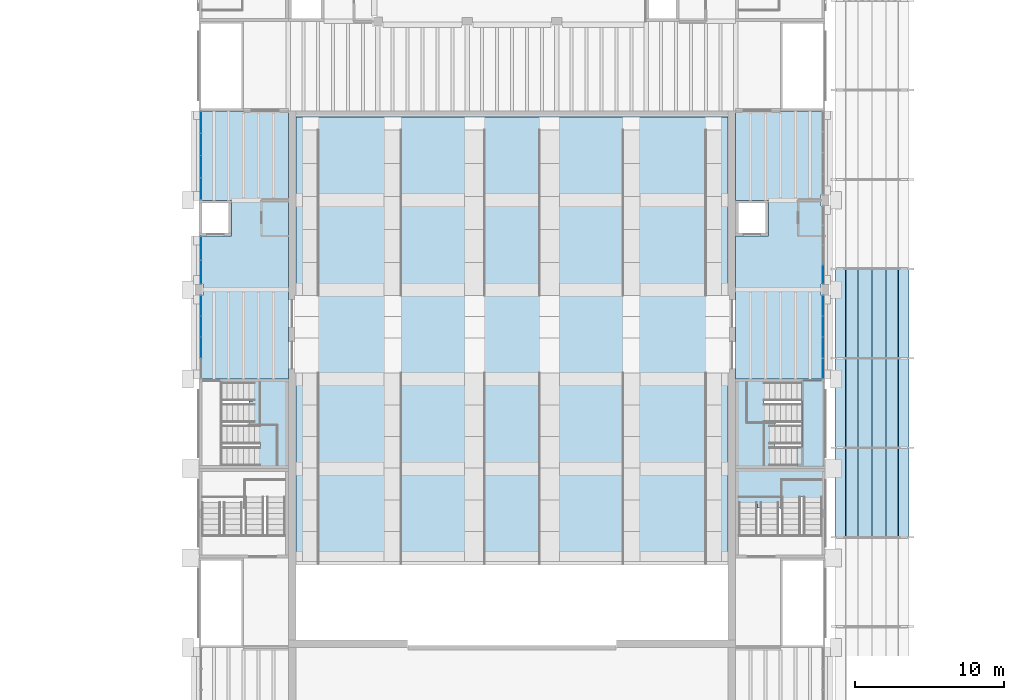
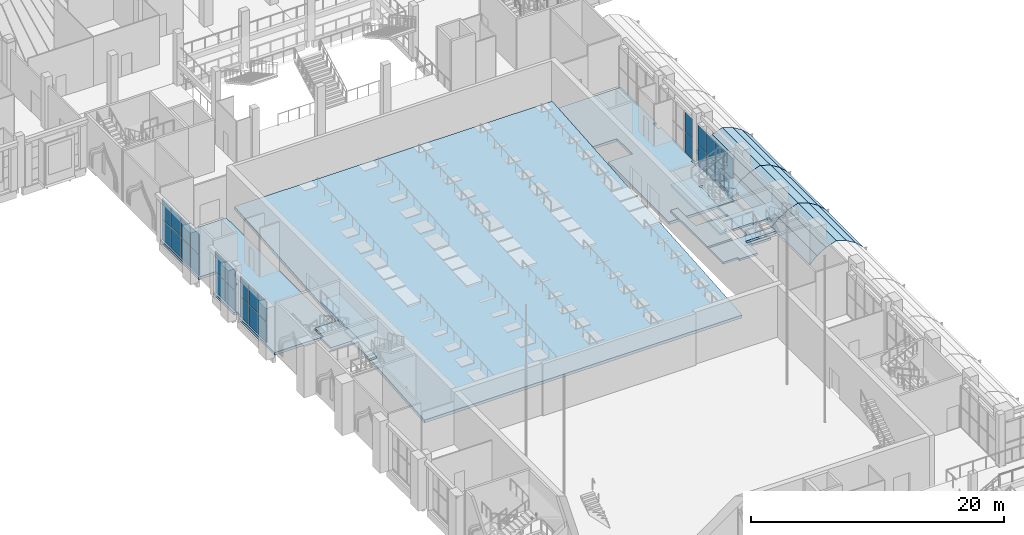
# One storey, part 32 of 80: 46 plates, 11 slabs, 8 elements without a shape of their own.
"""IFC4 building model written with IfcOpenShell, lengths in metres."""

from ifc_helpers import new_model, si_unit, direction, frame, origin, origin_2d, place, context, subcontext, project, spatial, polyline, rectangle, outline, extrude, material, layer, layer_set, type_object, element, aggregate, save


model = new_model("IFC4")

# Units and contexts
model_context = context("Model", 3, precision=1e-05, world=origin(), true_north=direction((0.0, 1.0)))
body_context = subcontext(model_context, "Body", "Model", "MODEL_VIEW")
ifc_project = project(units=[si_unit("LENGTHUNIT", "METRE"), si_unit("AREAUNIT", "SQUARE_METRE"), si_unit("VOLUMEUNIT", "CUBIC_METRE"), si_unit("PLANEANGLEUNIT", "RADIAN"), si_unit("MASSUNIT", "GRAM", prefix="KILO")], contexts=[model_context])

# Site, building, storey
site_placement = place(None, origin())
site = spatial("IfcSite", under=ifc_project, at=site_placement, CompositionType="ELEMENT")
building_placement = place(site_placement, origin())
building = spatial("IfcBuilding", under=site, at=building_placement, Name="Saffron Lane Theatres", CompositionType="ELEMENT")
storey_placement = place(building_placement, frame((0.0, 0.0, 7.0)))
storey = spatial("IfcBuildingStorey", under=building, at=storey_placement, Name="L01", CompositionType="ELEMENT", Elevation=7.0)

# Curtain wall, plates
ifc_material_1 = material(Name="Aluminium", Category="aluminium")
curtain_wall_type_1 = type_object("IfcCurtainWallType", Name="EX-CURTAIN WALL 5650x4050x160", PredefinedType="NOTDEFINED", material=ifc_material_1)
curtain_wall_1_placement = place(storey_placement, origin())
curtain_wall_1 = element("IfcCurtainWall", 1, at=curtain_wall_1_placement, inside=storey, type_object=curtain_wall_type_1, Name="Curtain wall L01 05", PredefinedType="NOTDEFINED")
ifc_material_2 = material(Name="Glass", Category="glass")
ifc_layer_1 = layer(ifc_material_2, 0.028076171875)
ifc_layer_set_1 = layer_set([ifc_layer_1], Name="Glass")
plate_type_1 = type_object("IfcPlateType", Name="EX-CW PANEL GLAZING 28", PredefinedType="CURTAIN_PANEL", material=ifc_layer_set_1)
plate_1_placement = place(storey_placement, frame((12.1298828125, 74.11865234375, 0.06005859375), z_axis=(0.0, 0.0, 1.0), x_axis=(0.0, 1.0, 0.0)))
plate_1 = element("IfcPlate", 2, at=plate_1_placement, type_object=plate_type_1, Name="CW-01-05 panel 2.1", PredefinedType="CURTAIN_PANEL", context=body_context, shape_type="SweptSolid", body=[
    extrude(rectangle(XDim=1.3525390625, YDim=0.028076171875, at=origin_2d()), origin(), (0.0, 0.0, 1.0), 1.934814453125),
])
plate_2_placement = place(storey_placement, frame((12.1298828125, 74.11865234375, 2.054931640625), z_axis=(0.0, 0.0, 1.0), x_axis=(0.0, 1.0, 0.0)))
plate_2 = element("IfcPlate", 3, at=plate_2_placement, type_object=plate_type_1, Name="CW-01-05 panel 2.2", PredefinedType="CURTAIN_PANEL", context=body_context, shape_type="SweptSolid", body=[
    extrude(rectangle(XDim=1.3525390625, YDim=0.028076171875, at=origin_2d()), origin(), (0.0, 0.0, 1.0), 1.93505859375),
])
plate_3_placement = place(storey_placement, frame((12.1298828125, 75.53125, 0.06005859375), z_axis=(0.0, 0.0, 1.0), x_axis=(0.0, 1.0, 0.0)))
plate_3 = element("IfcPlate", 4, at=plate_3_placement, type_object=plate_type_1, Name="CW-01-05 panel 3.1", PredefinedType="CURTAIN_PANEL", context=body_context, shape_type="SweptSolid", body=[
    extrude(rectangle(XDim=1.3525390625, YDim=0.028076171875, at=origin_2d()), origin(), (0.0, 0.0, 1.0), 1.934814453125),
])
plate_4_placement = place(storey_placement, frame((12.1298828125, 75.53125, 2.054931640625), z_axis=(0.0, 0.0, 1.0), x_axis=(0.0, 1.0, 0.0)))
plate_4 = element("IfcPlate", 5, at=plate_4_placement, type_object=plate_type_1, Name="CW-01-05 panel 3.2", PredefinedType="CURTAIN_PANEL", context=body_context, shape_type="SweptSolid", body=[
    extrude(rectangle(XDim=1.3525390625, YDim=0.028076171875, at=origin_2d()), origin(), (0.0, 0.0, 1.0), 1.93505859375),
])
plate_5_placement = place(storey_placement, frame((12.1298828125, 76.9287109375, 0.06005859375), z_axis=(0.0, 0.0, 1.0), x_axis=(0.0, 1.0, 0.0)))
plate_5 = element("IfcPlate", 6, at=plate_5_placement, type_object=plate_type_1, Name="CW-01-05 panel 4.1", PredefinedType="CURTAIN_PANEL", context=body_context, shape_type="SweptSolid", body=[
    extrude(rectangle(XDim=1.322509765625, YDim=0.028076171875, at=origin_2d()), origin(), (0.0, 0.0, 1.0), 1.934814453125),
])
plate_6_placement = place(storey_placement, frame((12.1298828125, 76.9287109375, 2.054931640625), z_axis=(0.0, 0.0, 1.0), x_axis=(0.0, 1.0, 0.0)))
plate_6 = element("IfcPlate", 7, at=plate_6_placement, type_object=plate_type_1, Name="CW-01-05 panel 4.2", PredefinedType="CURTAIN_PANEL", context=body_context, shape_type="SweptSolid", body=[
    extrude(rectangle(XDim=1.322509765625, YDim=0.028076171875, at=origin_2d()), origin(), (0.0, 0.0, 1.0), 1.93505859375),
])
aggregate(curtain_wall_1, [plate_1, plate_2, plate_3, plate_4, plate_5, plate_6])

ifc_material_3 = material(Name="Aluminium", Category="aluminium")
curtain_wall_type_2 = type_object("IfcCurtainWallType", Name="EX-CURTAIN WALL 3250x4050x160", PredefinedType="NOTDEFINED", material=ifc_material_3)
curtain_wall_2_placement = place(storey_placement, origin())
curtain_wall_2 = element("IfcCurtainWall", 8, at=curtain_wall_2_placement, inside=storey, type_object=curtain_wall_type_2, Name="Curtain wall L01 06", PredefinedType="NOTDEFINED")
plate_7_placement = place(storey_placement, frame((12.1298828125, 79.177490234375, 0.06005859375), z_axis=(0.0, 0.0, 1.0), x_axis=(0.0, 1.0, 0.0)))
plate_7 = element("IfcPlate", 9, at=plate_7_placement, type_object=plate_type_1, Name="CW-01-06 panel 1.1", PredefinedType="CURTAIN_PANEL", context=body_context, shape_type="SweptSolid", body=[
    extrude(rectangle(XDim=1.534912109375, YDim=0.028076171875, at=origin_2d()), origin(), (0.0, 0.0, 1.0), 1.934814453125),
])
plate_8_placement = place(storey_placement, frame((12.1298828125, 79.177490234375, 2.054931640625), z_axis=(0.0, 0.0, 1.0), x_axis=(0.0, 1.0, 0.0)))
plate_8 = element("IfcPlate", 10, at=plate_8_placement, type_object=plate_type_1, Name="CW-01-06 panel 1.2", PredefinedType="CURTAIN_PANEL", context=body_context, shape_type="SweptSolid", body=[
    extrude(rectangle(XDim=1.534912109375, YDim=0.028076171875, at=origin_2d()), origin(), (0.0, 0.0, 1.0), 1.93505859375),
])
plate_9_placement = place(storey_placement, frame((12.1298828125, 80.772705078125, 0.06005859375), z_axis=(0.0, 0.0, 1.0), x_axis=(0.0, 1.0, 0.0)))
plate_9 = element("IfcPlate", 11, at=plate_9_placement, type_object=plate_type_1, Name="CW-01-06 panel 2.1", PredefinedType="CURTAIN_PANEL", context=body_context, shape_type="SweptSolid", body=[
    extrude(rectangle(XDim=1.534912109375, YDim=0.028076171875, at=origin_2d()), origin(), (0.0, 0.0, 1.0), 1.934814453125),
])
plate_10_placement = place(storey_placement, frame((12.1298828125, 80.772705078125, 2.054931640625), z_axis=(0.0, 0.0, 1.0), x_axis=(0.0, 1.0, 0.0)))
plate_10 = element("IfcPlate", 12, at=plate_10_placement, type_object=plate_type_1, Name="CW-01-06 panel 2.2", PredefinedType="CURTAIN_PANEL", context=body_context, shape_type="SweptSolid", body=[
    extrude(rectangle(XDim=1.534912109375, YDim=0.028076171875, at=origin_2d()), origin(), (0.0, 0.0, 1.0), 1.93505859375),
])
aggregate(curtain_wall_2, [plate_7, plate_8, plate_9, plate_10])

ifc_material_4 = material(Name="Aluminium", Category="aluminium")
curtain_wall_type_3 = type_object("IfcCurtainWallType", Name="EX-CURTAIN WALL 6000x4050x160", PredefinedType="NOTDEFINED", material=ifc_material_4)
curtain_wall_3_placement = place(storey_placement, origin())
curtain_wall_3 = element("IfcCurtainWall", 13, at=curtain_wall_3_placement, inside=storey, type_object=curtain_wall_type_3, Name="Curtain wall L01 07", PredefinedType="NOTDEFINED")
plate_11_placement = place(storey_placement, frame((12.1298828125, 84.764892578125, 0.06005859375), z_axis=(0.0, 0.0, 1.0), x_axis=(0.0, 1.0, 0.0)))
plate_11 = element("IfcPlate", 14, at=plate_11_placement, type_object=plate_type_1, Name="CW-01-07 panel 1.1", PredefinedType="CURTAIN_PANEL", context=body_context, shape_type="SweptSolid", body=[
    extrude(rectangle(XDim=1.409912109375, YDim=0.028076171875, at=origin_2d()), origin(), (0.0, 0.0, 1.0), 1.934814453125),
])
plate_12_placement = place(storey_placement, frame((12.1298828125, 84.764892578125, 2.054931640625), z_axis=(0.0, 0.0, 1.0), x_axis=(0.0, 1.0, 0.0)))
plate_12 = element("IfcPlate", 15, at=plate_12_placement, type_object=plate_type_1, Name="CW-01-07 panel 1.2", PredefinedType="CURTAIN_PANEL", context=body_context, shape_type="SweptSolid", body=[
    extrude(rectangle(XDim=1.409912109375, YDim=0.028076171875, at=origin_2d()), origin(), (0.0, 0.0, 1.0), 1.93505859375),
])
plate_13_placement = place(storey_placement, frame((12.1298828125, 86.25, 0.06005859375), z_axis=(0.0, 0.0, 1.0), x_axis=(0.0, 1.0, 0.0)))
plate_13 = element("IfcPlate", 16, at=plate_13_placement, type_object=plate_type_1, Name="CW-01-07 panel 2.1", PredefinedType="CURTAIN_PANEL", context=body_context, shape_type="SweptSolid", body=[
    extrude(rectangle(XDim=1.43994140625, YDim=0.028076171875, at=origin_2d()), origin(), (0.0, 0.0, 1.0), 1.934814453125),
])
plate_14_placement = place(storey_placement, frame((12.1298828125, 86.25, 2.054931640625), z_axis=(0.0, 0.0, 1.0), x_axis=(0.0, 1.0, 0.0)))
plate_14 = element("IfcPlate", 17, at=plate_14_placement, type_object=plate_type_1, Name="CW-01-07 panel 2.2", PredefinedType="CURTAIN_PANEL", context=body_context, shape_type="SweptSolid", body=[
    extrude(rectangle(XDim=1.43994140625, YDim=0.028076171875, at=origin_2d()), origin(), (0.0, 0.0, 1.0), 1.93505859375),
])
plate_15_placement = place(storey_placement, frame((12.1298828125, 87.75, 0.06005859375), z_axis=(0.0, 0.0, 1.0), x_axis=(0.0, 1.0, 0.0)))
plate_15 = element("IfcPlate", 18, at=plate_15_placement, type_object=plate_type_1, Name="CW-01-07 panel 3.1", PredefinedType="CURTAIN_PANEL", context=body_context, shape_type="SweptSolid", body=[
    extrude(rectangle(XDim=1.43994140625, YDim=0.028076171875, at=origin_2d()), origin(), (0.0, 0.0, 1.0), 1.934814453125),
])
plate_16_placement = place(storey_placement, frame((12.1298828125, 87.75, 2.054931640625), z_axis=(0.0, 0.0, 1.0), x_axis=(0.0, 1.0, 0.0)))
plate_16 = element("IfcPlate", 19, at=plate_16_placement, type_object=plate_type_1, Name="CW-01-07 panel 3.2", PredefinedType="CURTAIN_PANEL", context=body_context, shape_type="SweptSolid", body=[
    extrude(rectangle(XDim=1.43994140625, YDim=0.028076171875, at=origin_2d()), origin(), (0.0, 0.0, 1.0), 1.93505859375),
])
plate_17_placement = place(storey_placement, frame((12.1298828125, 89.235107421875, 0.06005859375), z_axis=(0.0, 0.0, 1.0), x_axis=(0.0, 1.0, 0.0)))
plate_17 = element("IfcPlate", 20, at=plate_17_placement, type_object=plate_type_1, Name="CW-01-07 panel 4.1", PredefinedType="CURTAIN_PANEL", context=body_context, shape_type="SweptSolid", body=[
    extrude(rectangle(XDim=1.409912109375, YDim=0.028076171875, at=origin_2d()), origin(), (0.0, 0.0, 1.0), 1.934814453125),
])
plate_18_placement = place(storey_placement, frame((12.1298828125, 89.235107421875, 2.054931640625), z_axis=(0.0, 0.0, 1.0), x_axis=(0.0, 1.0, 0.0)))
plate_18 = element("IfcPlate", 21, at=plate_18_placement, type_object=plate_type_1, Name="CW-01-07 panel 4.2", PredefinedType="CURTAIN_PANEL", context=body_context, shape_type="SweptSolid", body=[
    extrude(rectangle(XDim=1.409912109375, YDim=0.028076171875, at=origin_2d()), origin(), (0.0, 0.0, 1.0), 1.93505859375),
])
aggregate(curtain_wall_3, [plate_11, plate_12, plate_13, plate_14, plate_15, plate_16, plate_17, plate_18])

ifc_material_5 = material(Name="Aluminium", Category="aluminium")
curtain_wall_type_4 = type_object("IfcCurtainWallType", Name="EX-CURTAIN WALL 5300x4050x160", PredefinedType="NOTDEFINED", material=ifc_material_5)
curtain_wall_4_placement = place(storey_placement, origin())
curtain_wall_4 = element("IfcCurtainWall", 22, at=curtain_wall_4_placement, inside=storey, type_object=curtain_wall_type_4, Name="Curtain wall L01 11", PredefinedType="NOTDEFINED")
plate_19_placement = place(storey_placement, frame((53.8701171875, 79.027587890625, 0.06005859375), z_axis=(0.0, 0.0, 1.0), x_axis=(0.0, -1.0, 0.0)))
plate_19 = element("IfcPlate", 23, at=plate_19_placement, type_object=plate_type_1, Name="CW-01-11 panel 4.1", PredefinedType="CURTAIN_PANEL", context=body_context, shape_type="SweptSolid", body=[
    extrude(rectangle(XDim=1.23486328125, YDim=0.028076171875, at=origin_2d()), origin(), (0.0, 0.0, 1.0), 1.934814453125),
])
plate_20_placement = place(storey_placement, frame((53.8701171875, 79.027587890625, 2.054931640625), z_axis=(0.0, 0.0, 1.0), x_axis=(0.0, -1.0, 0.0)))
plate_20 = element("IfcPlate", 24, at=plate_20_placement, type_object=plate_type_1, Name="CW-01-11 panel 4.2", PredefinedType="CURTAIN_PANEL", context=body_context, shape_type="SweptSolid", body=[
    extrude(rectangle(XDim=1.23486328125, YDim=0.028076171875, at=origin_2d()), origin(), (0.0, 0.0, 1.0), 1.93505859375),
])
aggregate(curtain_wall_4, [plate_19, plate_20])

curtain_wall_5_placement = place(storey_placement, origin())
curtain_wall_5 = element("IfcCurtainWall", 25, at=curtain_wall_5_placement, inside=storey, type_object=curtain_wall_type_1, Name="Curtain wall L01 12", PredefinedType="NOTDEFINED")
plate_21_placement = place(storey_placement, frame((53.8701171875, 76.9287109375, 0.06005859375), z_axis=(0.0, 0.0, 1.0), x_axis=(0.0, -1.0, 0.0)))
plate_21 = element("IfcPlate", 26, at=plate_21_placement, type_object=plate_type_1, Name="CW-01-12 panel 1.1", PredefinedType="CURTAIN_PANEL", context=body_context, shape_type="SweptSolid", body=[
    extrude(rectangle(XDim=1.322509765625, YDim=0.028076171875, at=origin_2d()), origin(), (0.0, 0.0, 1.0), 1.934814453125),
])
plate_22_placement = place(storey_placement, frame((53.8701171875, 76.9287109375, 2.054931640625), z_axis=(0.0, 0.0, 1.0), x_axis=(0.0, -1.0, 0.0)))
plate_22 = element("IfcPlate", 27, at=plate_22_placement, type_object=plate_type_1, Name="CW-01-12 panel 1.2", PredefinedType="CURTAIN_PANEL", context=body_context, shape_type="SweptSolid", body=[
    extrude(rectangle(XDim=1.322509765625, YDim=0.028076171875, at=origin_2d()), origin(), (0.0, 0.0, 1.0), 1.93505859375),
])
plate_23_placement = place(storey_placement, frame((53.8701171875, 75.53125, 0.06005859375), z_axis=(0.0, 0.0, 1.0), x_axis=(0.0, -1.0, 0.0)))
plate_23 = element("IfcPlate", 28, at=plate_23_placement, type_object=plate_type_1, Name="CW-01-12 panel 2.1", PredefinedType="CURTAIN_PANEL", context=body_context, shape_type="SweptSolid", body=[
    extrude(rectangle(XDim=1.3525390625, YDim=0.028076171875, at=origin_2d()), origin(), (0.0, 0.0, 1.0), 1.934814453125),
])
plate_24_placement = place(storey_placement, frame((53.8701171875, 75.53125, 2.054931640625), z_axis=(0.0, 0.0, 1.0), x_axis=(0.0, -1.0, 0.0)))
plate_24 = element("IfcPlate", 29, at=plate_24_placement, type_object=plate_type_1, Name="CW-01-12 panel 2.2", PredefinedType="CURTAIN_PANEL", context=body_context, shape_type="SweptSolid", body=[
    extrude(rectangle(XDim=1.3525390625, YDim=0.028076171875, at=origin_2d()), origin(), (0.0, 0.0, 1.0), 1.93505859375),
])
plate_25_placement = place(storey_placement, frame((53.8701171875, 74.11865234375, 0.06005859375), z_axis=(0.0, 0.0, 1.0), x_axis=(0.0, -1.0, 0.0)))
plate_25 = element("IfcPlate", 30, at=plate_25_placement, type_object=plate_type_1, Name="CW-01-12 panel 3.1", PredefinedType="CURTAIN_PANEL", context=body_context, shape_type="SweptSolid", body=[
    extrude(rectangle(XDim=1.3525390625, YDim=0.028076171875, at=origin_2d()), origin(), (0.0, 0.0, 1.0), 1.934814453125),
])
plate_26_placement = place(storey_placement, frame((53.8701171875, 74.11865234375, 2.054931640625), z_axis=(0.0, 0.0, 1.0), x_axis=(0.0, -1.0, 0.0)))
plate_26 = element("IfcPlate", 31, at=plate_26_placement, type_object=plate_type_1, Name="CW-01-12 panel 3.2", PredefinedType="CURTAIN_PANEL", context=body_context, shape_type="SweptSolid", body=[
    extrude(rectangle(XDim=1.3525390625, YDim=0.028076171875, at=origin_2d()), origin(), (0.0, 0.0, 1.0), 1.93505859375),
])
plate_27_placement = place(storey_placement, frame((53.8701171875, 72.72119140625, 0.06005859375), z_axis=(0.0, 0.0, 1.0), x_axis=(0.0, -1.0, 0.0)))
plate_27 = element("IfcPlate", 32, at=plate_27_placement, type_object=plate_type_1, Name="CW-01-12 panel 4.1", PredefinedType="CURTAIN_PANEL", context=body_context, shape_type="SweptSolid", body=[
    extrude(rectangle(XDim=1.322509765625, YDim=0.028076171875, at=origin_2d()), origin(), (0.0, 0.0, 1.0), 1.934814453125),
])
plate_28_placement = place(storey_placement, frame((53.8701171875, 72.72119140625, 2.054931640625), z_axis=(0.0, 0.0, 1.0), x_axis=(0.0, -1.0, 0.0)))
plate_28 = element("IfcPlate", 33, at=plate_28_placement, type_object=plate_type_1, Name="CW-01-12 panel 4.2", PredefinedType="CURTAIN_PANEL", context=body_context, shape_type="SweptSolid", body=[
    extrude(rectangle(XDim=1.322509765625, YDim=0.028076171875, at=origin_2d()), origin(), (0.0, 0.0, 1.0), 1.93505859375),
])
aggregate(curtain_wall_5, [plate_21, plate_22, plate_23, plate_24, plate_25, plate_26, plate_27, plate_28])

# Slabs
ifc_material_6 = material(Name="Concrete N40 (40 MPa)", Category="concrete")
ifc_layer_2 = layer(ifc_material_6, 0.25)
ifc_layer_set_2 = layer_set([ifc_layer_2], Name="Concrete N40 (40 MPa)")
slab_type_1 = type_object("IfcSlabType", Name="RC-SLAB FLOOR 250", PredefinedType="FLOOR", material=ifc_layer_set_2)
slab_1_placement = place(storey_placement, frame((0.0, 0.0, -0.25)))
element("IfcSlab", 34, at=slab_1_placement, inside=storey, type_object=slab_type_1, Name="slab-L01-AUD-3", PredefinedType="FLOOR", context=body_context, shape_type="SweptSolid", body=[
    extrude(outline(polyline([(18.0, 72.0), (18.0, 90.0), (15.0, 90.0), (12.0, 90.0), (12.0, 84.0), (14.199951171875, 84.0), (14.199951171875, 81.60009765625), (12.0, 81.60009765625), (12.0, 78.376953125), (12.277099609375, 78.376953125), (12.277099609375, 77.623046875), (12.0, 77.623046875), (12.0, 72.0), (18.0, 72.0)])), origin(), (0.0, 0.0, 1.0), 0.25),
])
slab_2_placement = place(storey_placement, frame((0.0, 0.0, -0.25)))
element("IfcSlab", 35, at=slab_2_placement, inside=storey, type_object=slab_type_1, Name="slab-L01-AUD-4", PredefinedType="FLOOR", context=body_context, shape_type="SweptSolid", body=[
    extrude(outline(polyline([(48.0, 72.0), (54.0, 72.0), (54.0, 77.623046875), (53.722900390625, 77.623046875), (53.722900390625, 78.376953125), (54.0, 78.376953125), (54.0, 83.623046875), (53.722900390625, 83.623046875), (53.722900390625, 84.376953125), (54.0, 84.376953125), (54.0, 90.0), (51.0, 90.0), (48.0, 90.0), (48.0, 84.0), (50.199951171875, 84.0), (50.199951171875, 81.60009765625), (48.0, 81.60009765625), (48.0, 72.0)])), origin(), (0.0, 0.0, 1.0), 0.25),
])
ifc_material_7 = material(Name="Concrete N40 (40 MPa)", Category="concrete")
ifc_layer_3 = layer(ifc_material_7, 0.300048828125)
ifc_layer_set_3 = layer_set([ifc_layer_3], Name="Concrete N40 (40 MPa)")
slab_type_2 = type_object("IfcSlabType", Name="RC-SLAB TIER 300", PredefinedType="NOTDEFINED", material=ifc_layer_set_3)
slab_3_placement = place(storey_placement, frame((18.5, 59.550048828125, -1.236083984375), z_axis=(0.0, -0.079746831701, 0.996815149781), x_axis=(1.0, 0.0, 0.0)))
element("IfcSlab", 36, at=slab_3_placement, inside=storey, type_object=slab_type_2, Name="Stalls Deck", ObjectType="SEATING TIER", PredefinedType="NOTDEFINED", context=body_context, shape_type="SweptSolid", body=[
    extrude(outline(polyline([(0.0, 0.0), (29.0, 0.0), (29.0, 30.146059512353396), (0.0, 30.146059512353396), (0.0, 0.0)])), origin(), (0.0, 0.0, -1.0), 0.300048828125),
])

# Plates
ifc_material_8 = material(Name="Laminated glass", Category="glass")
ifc_layer_4 = layer(ifc_material_8, 0.030029296875)
ifc_layer_set_4 = layer_set([ifc_layer_4], Name="Laminated glass")
plate_type_2 = type_object("IfcPlateType", Name="ST-CANOPY GLASS", PredefinedType="SHEET", material=ifc_layer_set_4)
plate_29_placement = place(storey_placement, frame((54.677978515625, 61.39990234375, -0.053466796875), z_axis=(-0.685681966938, 0.0, 0.727901257188), x_axis=(0.727901257188, 0.0, 0.685681966938)))
element("IfcPlate", 37, at=plate_29_placement, inside=storey, type_object=plate_type_2, Name="CG6-1", PredefinedType="SHEET", context=body_context, shape_type="SweptSolid", body=[
    extrude(outline(polyline([(0.0, 0.0), (0.9599248000335028, 0.0), (0.9599248000335028, 6.0), (0.0, 6.0), (0.0, 0.0)])), origin(), (0.0, 0.0, -1.0), 0.030029296875),
])
plate_30_placement = place(storey_placement, frame((55.376708984375, 61.39990234375, 0.604736328125), z_axis=(-0.517265239441, 0.0, 0.855825141058), x_axis=(0.855825141058, 0.0, 0.517265239441)))
element("IfcPlate", 38, at=plate_30_placement, inside=storey, type_object=plate_type_2, Name="CG6-2", PredefinedType="SHEET", context=body_context, shape_type="SweptSolid", body=[
    extrude(outline(polyline([(0.0, 0.0), (0.9713419111499699, 0.0), (0.9713419111499699, 6.000000000000002), (0.0, 6.000000000000002), (0.0, 0.0)])), origin(), (0.0, 0.0, -1.0), 0.030029296875),
])
plate_31_placement = place(storey_placement, frame((56.2080078125, 61.39990234375, 1.107177734375), z_axis=(-0.325257867178, 0.0, 0.945625359135), x_axis=(0.945625359135, 0.0, 0.325257867178)))
element("IfcPlate", 39, at=plate_31_placement, inside=storey, type_object=plate_type_2, Name="CG6-3", PredefinedType="SHEET", context=body_context, shape_type="SweptSolid", body=[
    extrude(outline(polyline([(0.0, 0.0), (0.9960546448455231, 0.0), (0.9960546448455231, 6.0), (0.0, 6.0), (0.0, 0.0)])), origin(), (0.0, 0.0, -1.0), 0.030029296875),
])
plate_32_placement = place(storey_placement, frame((57.14990234375, 61.39990234375, 1.43115234375), z_axis=(0.325182495339, 0.0, 0.945651280719), x_axis=(0.945651280719, 0.0, -0.325182495339)))
element("IfcPlate", 40, at=plate_32_placement, inside=storey, type_object=plate_type_2, Name="CG6-4", PredefinedType="SHEET", context=body_context, shape_type="SweptSolid", body=[
    extrude(outline(polyline([(0.0, 0.0), (0.9962855135763407, 0.0), (0.9962855135763407, 6.0), (0.0, 6.0), (0.0, 0.0)])), origin(), (0.0, 0.0, -1.0), 0.030029296875),
])
plate_33_placement = place(storey_placement, frame((58.092041015625, 61.39990234375, 1.107177734375), z_axis=(0.517265239441, 0.0, 0.855825141058), x_axis=(0.855825141058, 0.0, -0.517265239441)))
element("IfcPlate", 41, at=plate_33_placement, inside=storey, type_object=plate_type_2, Name="CG6-5", PredefinedType="SHEET", context=body_context, shape_type="SweptSolid", body=[
    extrude(outline(polyline([(0.0, 0.0), (0.9713419111499699, 0.0), (0.9713419111499699, 6.000000000000002), (0.0, 6.000000000000002), (0.0, 0.0)])), origin(), (0.0, 0.0, -1.0), 0.030029296875),
])
for number, where, z_axis, x_axis, name in (
    (42, (58.92333984375, 61.39990234375, 0.604736328125), (0.685681966938, 0.0, 0.727901257188), (0.727901257188, 0.0, -0.685681966938), "CG6-6"),
    (43, (54.677978515625, 67.39990234375, -0.053466796875), (-0.685681966938, 0.0, 0.727901257188), (0.727901257188, 0.0, 0.685681966938), "CG7-1"),
):
    element("IfcPlate", number, at=place(storey_placement, frame(where, z_axis=z_axis, x_axis=x_axis)), inside=storey, type_object=plate_type_2, Name=name, PredefinedType="SHEET", context=body_context, shape_type="SweptSolid", body=[
        extrude(outline(polyline([(0.0, 0.0), (0.9599248000335028, 0.0), (0.9599248000335028, 6.0), (0.0, 6.0), (0.0, 0.0)])), origin(), (0.0, 0.0, -1.0), 0.030029296875),
    ])
plate_34_placement = place(storey_placement, frame((55.376708984375, 67.39990234375, 0.604736328125), z_axis=(-0.517265239441, 0.0, 0.855825141058), x_axis=(0.855825141058, 0.0, 0.517265239441)))
element("IfcPlate", 44, at=plate_34_placement, inside=storey, type_object=plate_type_2, Name="CG7-2", PredefinedType="SHEET", context=body_context, shape_type="SweptSolid", body=[
    extrude(outline(polyline([(0.0, 0.0), (0.9713419111499699, 0.0), (0.9713419111499699, 6.000000000000002), (0.0, 6.000000000000002), (0.0, 0.0)])), origin(), (0.0, 0.0, -1.0), 0.030029296875),
])
plate_35_placement = place(storey_placement, frame((56.2080078125, 67.39990234375, 1.107177734375), z_axis=(-0.325257867178, 0.0, 0.945625359135), x_axis=(0.945625359135, 0.0, 0.325257867178)))
element("IfcPlate", 45, at=plate_35_placement, inside=storey, type_object=plate_type_2, Name="CG7-3", PredefinedType="SHEET", context=body_context, shape_type="SweptSolid", body=[
    extrude(outline(polyline([(0.0, 0.0), (0.9960546448455231, 0.0), (0.9960546448455231, 6.0), (0.0, 6.0), (0.0, 0.0)])), origin(), (0.0, 0.0, -1.0), 0.030029296875),
])
plate_36_placement = place(storey_placement, frame((57.14990234375, 67.39990234375, 1.43115234375), z_axis=(0.325182495339, 0.0, 0.945651280719), x_axis=(0.945651280719, 0.0, -0.325182495339)))
element("IfcPlate", 46, at=plate_36_placement, inside=storey, type_object=plate_type_2, Name="CG7-4", PredefinedType="SHEET", context=body_context, shape_type="SweptSolid", body=[
    extrude(outline(polyline([(0.0, 0.0), (0.9962855135763407, 0.0), (0.9962855135763407, 6.0), (0.0, 6.0), (0.0, 0.0)])), origin(), (0.0, 0.0, -1.0), 0.030029296875),
])
plate_37_placement = place(storey_placement, frame((58.092041015625, 67.39990234375, 1.107177734375), z_axis=(0.517265239441, 0.0, 0.855825141058), x_axis=(0.855825141058, 0.0, -0.517265239441)))
element("IfcPlate", 47, at=plate_37_placement, inside=storey, type_object=plate_type_2, Name="CG7-5", PredefinedType="SHEET", context=body_context, shape_type="SweptSolid", body=[
    extrude(outline(polyline([(0.0, 0.0), (0.9713419111499699, 0.0), (0.9713419111499699, 6.000000000000002), (0.0, 6.000000000000002), (0.0, 0.0)])), origin(), (0.0, 0.0, -1.0), 0.030029296875),
])
for number, where, z_axis, x_axis, name in (
    (48, (58.92333984375, 67.39990234375, 0.604736328125), (0.685681966938, 0.0, 0.727901257188), (0.727901257188, 0.0, -0.685681966938), "CG7-6"),
    (49, (54.677978515625, 73.39990234375, -0.053466796875), (-0.685681966938, 0.0, 0.727901257188), (0.727901257188, 0.0, 0.685681966938), "CG8-1"),
):
    element("IfcPlate", number, at=place(storey_placement, frame(where, z_axis=z_axis, x_axis=x_axis)), inside=storey, type_object=plate_type_2, Name=name, PredefinedType="SHEET", context=body_context, shape_type="SweptSolid", body=[
        extrude(outline(polyline([(0.0, 0.0), (0.9599248000335028, 0.0), (0.9599248000335028, 6.0), (0.0, 6.0), (0.0, 0.0)])), origin(), (0.0, 0.0, -1.0), 0.030029296875),
    ])
plate_38_placement = place(storey_placement, frame((55.376708984375, 73.39990234375, 0.604736328125), z_axis=(-0.517265239441, 0.0, 0.855825141058), x_axis=(0.855825141058, 0.0, 0.517265239441)))
element("IfcPlate", 50, at=plate_38_placement, inside=storey, type_object=plate_type_2, Name="CG8-2", PredefinedType="SHEET", context=body_context, shape_type="SweptSolid", body=[
    extrude(outline(polyline([(0.0, 0.0), (0.9713419111499699, 0.0), (0.9713419111499699, 6.000000000000002), (0.0, 6.000000000000002), (0.0, 0.0)])), origin(), (0.0, 0.0, -1.0), 0.030029296875),
])
plate_39_placement = place(storey_placement, frame((56.2080078125, 73.39990234375, 1.107177734375), z_axis=(-0.325257867178, 0.0, 0.945625359135), x_axis=(0.945625359135, 0.0, 0.325257867178)))
element("IfcPlate", 51, at=plate_39_placement, inside=storey, type_object=plate_type_2, Name="CG8-3", PredefinedType="SHEET", context=body_context, shape_type="SweptSolid", body=[
    extrude(outline(polyline([(0.0, 0.0), (0.9960546448455231, 0.0), (0.9960546448455231, 6.0), (0.0, 6.0), (0.0, 0.0)])), origin(), (0.0, 0.0, -1.0), 0.030029296875),
])
plate_40_placement = place(storey_placement, frame((57.14990234375, 73.39990234375, 1.43115234375), z_axis=(0.325182495339, 0.0, 0.945651280719), x_axis=(0.945651280719, 0.0, -0.325182495339)))
element("IfcPlate", 52, at=plate_40_placement, inside=storey, type_object=plate_type_2, Name="CG8-4", PredefinedType="SHEET", context=body_context, shape_type="SweptSolid", body=[
    extrude(outline(polyline([(0.0, 0.0), (0.9962855135763407, 0.0), (0.9962855135763407, 6.0), (0.0, 6.0), (0.0, 0.0)])), origin(), (0.0, 0.0, -1.0), 0.030029296875),
])
plate_41_placement = place(storey_placement, frame((58.092041015625, 73.39990234375, 1.107177734375), z_axis=(0.517265239441, 0.0, 0.855825141058), x_axis=(0.855825141058, 0.0, -0.517265239441)))
element("IfcPlate", 53, at=plate_41_placement, inside=storey, type_object=plate_type_2, Name="CG8-5", PredefinedType="SHEET", context=body_context, shape_type="SweptSolid", body=[
    extrude(outline(polyline([(0.0, 0.0), (0.9713419111499699, 0.0), (0.9713419111499699, 6.000000000000002), (0.0, 6.000000000000002), (0.0, 0.0)])), origin(), (0.0, 0.0, -1.0), 0.030029296875),
])
plate_42_placement = place(storey_placement, frame((58.92333984375, 73.39990234375, 0.604736328125), z_axis=(0.685681966938, 0.0, 0.727901257188), x_axis=(0.727901257188, 0.0, -0.685681966938)))
element("IfcPlate", 54, at=plate_42_placement, inside=storey, type_object=plate_type_2, Name="CG8-6", PredefinedType="SHEET", context=body_context, shape_type="SweptSolid", body=[
    extrude(outline(polyline([(0.0, 0.0), (0.9599248000335028, 0.0), (0.9599248000335028, 6.0), (0.0, 6.0), (0.0, 0.0)])), origin(), (0.0, 0.0, -1.0), 0.030029296875),
])

# Stair, slabs
ifc_material_9 = material(Name="Concrete N40 (40 MPa)", Category="concrete")
stair_type = type_object("IfcStairType", Name="VC-STAIR EXIT", PredefinedType="TWO_STRAIGHT_RUN_STAIR", material=ifc_material_9)
stair_1_placement = place(storey_placement, origin())
stair_1 = element("IfcStair", 55, at=stair_1_placement, inside=storey, type_object=stair_type, Name="Auditorium West Rear Stair L01 to L02", PredefinedType="TWO_STRAIGHT_RUN_STAIR")
ifc_material_10 = material(Name="Concrete N40 (40 MPa)", Category="concrete")
ifc_layer_5 = layer(ifc_material_10, 0.199951171875)
ifc_layer_set_5 = layer_set([ifc_layer_5], Name="Concrete N40 (40 MPa)")
slab_type_3 = type_object("IfcSlabType", Name="VC-LANDING 200", PredefinedType="LANDING", material=ifc_layer_set_5)
slab_4_placement = place(storey_placement, frame((0.0, 0.0, 0.966552734375)))
slab_4 = element("IfcSlab", 56, at=slab_4_placement, type_object=slab_type_3, Name="ST8 landing 2", PredefinedType="LANDING", context=body_context, shape_type="SweptSolid", body=[
    extrude(outline(polyline([(15.3701171875, 68.89990234375), (15.3701171875, 70.550048828125), (15.6201171875, 70.550048828125), (15.6201171875, 71.89990234375), (17.89990234375, 71.89990234375), (17.89990234375, 66.10009765625), (17.25, 66.10009765625), (17.25, 68.89990234375), (15.3701171875, 68.89990234375)])), origin(), (0.0, 0.0, 1.0), 0.2001953125),
])
slab_5_placement = place(storey_placement, frame((0.0, 0.0, 3.466552734375)))
slab_5 = element("IfcSlab", 57, at=slab_5_placement, type_object=slab_type_3, Name="ST8 landing 4", PredefinedType="LANDING", context=body_context, shape_type="SweptSolid", body=[
    extrude(outline(polyline([(16.090087890625, 67.449951171875), (16.090087890625, 67.64990234375), (15.989990234375, 67.64990234375), (15.989990234375, 68.89990234375), (16.090087890625, 68.89990234375), (16.090087890625, 71.89990234375), (17.89990234375, 71.89990234375), (17.89990234375, 66.10009765625), (15.739990234375, 66.10009765625), (15.739990234375, 67.449951171875), (16.090087890625, 67.449951171875)])), origin(), (0.0, 0.0, 1.0), 0.2001953125),
])
aggregate(stair_1, [slab_4, slab_5])

stair_2_placement = place(storey_placement, origin())
stair_2 = element("IfcStair", 58, at=stair_2_placement, inside=storey, type_object=stair_type, Name="Auditorium East Rear Stair L01 to L02", PredefinedType="TWO_STRAIGHT_RUN_STAIR")
slab_6_placement = place(storey_placement, frame((0.0, 0.0, -0.199951171875)))
slab_6 = element("IfcSlab", 59, at=slab_6_placement, type_object=slab_type_3, Name="ST11 landing 1", PredefinedType="LANDING", context=body_context, shape_type="SweptSolid", body=[
    extrude(outline(polyline([(53.89990234375, 71.89990234375), (53.89990234375, 66.10009765625), (52.14990234375, 66.10009765625), (52.14990234375, 67.449951171875), (52.5, 67.449951171875), (52.5, 70.550048828125), (52.39990234375, 70.550048828125), (52.39990234375, 71.89990234375), (52.5, 71.89990234375), (52.5, 71.89990234375), (53.89990234375, 71.89990234375)])), origin(), (0.0, 0.0, 1.0), 0.199951171875),
])
slab_7_placement = place(storey_placement, frame((0.0, 0.0, 0.966552734375)))
slab_7 = element("IfcSlab", 60, at=slab_7_placement, type_object=slab_type_3, Name="ST11 landing 2", PredefinedType="LANDING", context=body_context, shape_type="SweptSolid", body=[
    extrude(outline(polyline([(50.6298828125, 69.10009765625), (50.6298828125, 67.449951171875), (50.3798828125, 67.449951171875), (50.3798828125, 66.10009765625), (48.10009765625, 66.10009765625), (48.10009765625, 71.89990234375), (48.75, 71.89990234375), (48.75, 69.10009765625), (50.6298828125, 69.10009765625)])), origin(), (0.0, 0.0, 1.0), 0.2001953125),
])
slab_8_placement = place(storey_placement, frame((0.0, 0.0, 2.13330078125)))
slab_8 = element("IfcSlab", 61, at=slab_8_placement, type_object=slab_type_3, Name="ST11 landing 3", PredefinedType="LANDING", context=body_context, shape_type="SweptSolid", body=[
    extrude(outline(polyline([(52.5, 71.89990234375), (53.89990234375, 71.89990234375), (53.89990234375, 66.10009765625), (52.5, 66.10009765625), (52.5, 67.64990234375), (52.39990234375, 67.64990234375), (52.39990234375, 68.89990234375), (52.5, 68.89990234375), (52.5, 69.10009765625), (52.14990234375, 69.10009765625), (52.14990234375, 70.35009765625), (52.5, 70.35009765625), (52.5, 71.89990234375)])), origin(), (0.0, 0.0, 1.0), 0.199951171875),
])
slab_9_placement = place(storey_placement, frame((0.0, 0.0, 3.466552734375)))
slab_9 = element("IfcSlab", 62, at=slab_9_placement, type_object=slab_type_3, Name="ST11 landing 4", PredefinedType="LANDING", context=body_context, shape_type="SweptSolid", body=[
    extrude(outline(polyline([(49.909912109375, 70.550048828125), (49.909912109375, 70.35009765625), (50.010009765625, 70.35009765625), (50.010009765625, 69.10009765625), (49.909912109375, 69.10009765625), (49.909912109375, 66.10009765625), (48.10009765625, 66.10009765625), (48.10009765625, 71.89990234375), (50.260009765625, 71.89990234375), (50.260009765625, 70.550048828125), (49.909912109375, 70.550048828125)])), origin(), (0.0, 0.0, 1.0), 0.2001953125),
])
aggregate(stair_2, [slab_6, slab_7, slab_8, slab_9])

stair_3_placement = place(storey_placement, origin())
stair_3 = element("IfcStair", 63, at=stair_3_placement, inside=storey, type_object=stair_type, Name="Auditorium East Front Stair L01 to L02", PredefinedType="TWO_STRAIGHT_RUN_STAIR")
slab_10_placement = place(storey_placement, frame((0.0, 0.0, 0.966552734375)))
slab_10 = element("IfcSlab", 64, at=slab_10_placement, type_object=slab_type_3, Name="ST17 landing 2", PredefinedType="LANDING", context=body_context, shape_type="SweptSolid", body=[
    extrude(outline(polyline([(51.10009765625, 63.3701171875), (49.449951171875, 63.3701171875), (49.449951171875, 63.6201171875), (48.10009765625, 63.6201171875), (48.10009765625, 65.89990234375), (53.89990234375, 65.89990234375), (53.89990234375, 65.25), (51.10009765625, 65.25), (51.10009765625, 63.3701171875)])), origin(), (0.0, 0.0, 1.0), 0.2001953125),
])
slab_11_placement = place(storey_placement, frame((0.0, 0.0, 3.466552734375)))
slab_11 = element("IfcSlab", 65, at=slab_11_placement, type_object=slab_type_3, Name="ST17 landing 4", PredefinedType="LANDING", context=body_context, shape_type="SweptSolid", body=[
    extrude(outline(polyline([(52.550048828125, 64.090087890625), (52.35009765625, 64.090087890625), (52.35009765625, 63.989990234375), (51.10009765625, 63.989990234375), (51.10009765625, 64.090087890625), (48.10009765625, 64.090087890625), (48.10009765625, 65.89990234375), (53.89990234375, 65.89990234375), (53.89990234375, 63.739990234375), (52.550048828125, 63.739990234375), (52.550048828125, 64.090087890625)])), origin(), (0.0, 0.0, 1.0), 0.2001953125),
])
aggregate(stair_3, [slab_10, slab_11])

save(model, "model.ifc")
